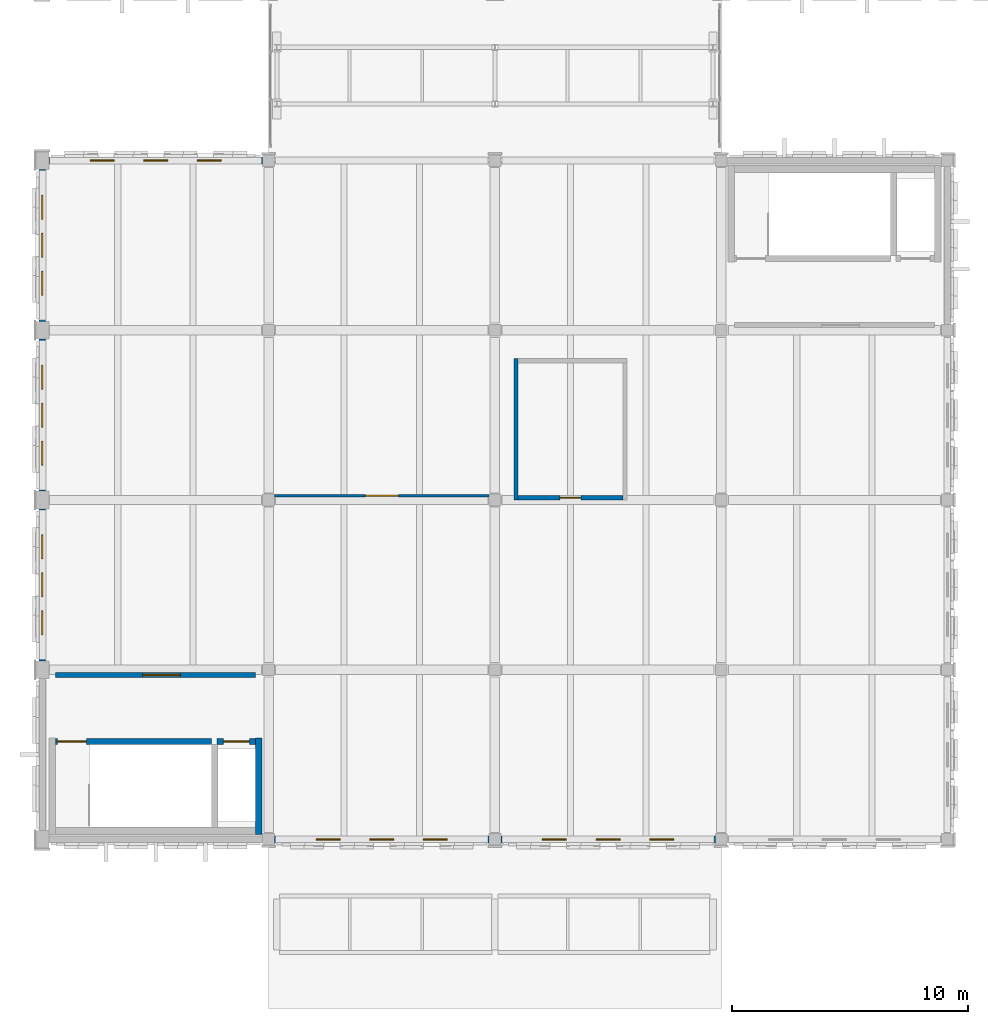
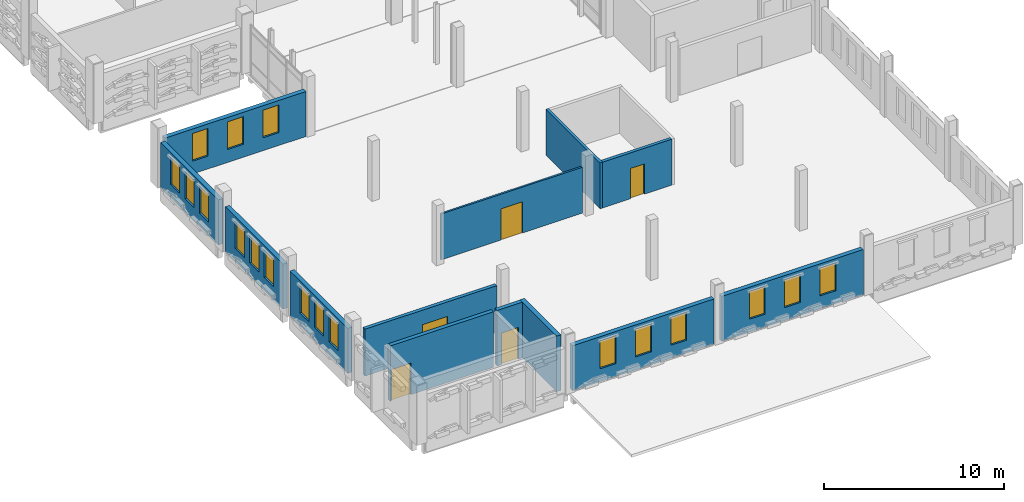
# One storey, part 53 of 72: 18 windows, 13 walls, 5 doors, 23 openings.
"""IFC4 building model written with IfcOpenShell, lengths in metres."""

from ifc_helpers import new_model, si_unit, direction, frame, frame_2d, origin, place, context, subcontext, project, spatial, rectangle, extrude, material, layer, layer_set, type_object, element, fill, save


model = new_model("IFC4")

# Units and contexts
model_context = context("Model", 3, precision=1e-05, world=origin(), true_north=direction((0.0, 1.0)))
body_context = subcontext(model_context, "Body", "Model", "MODEL_VIEW")
ifc_project = project(units=[si_unit("LENGTHUNIT", "METRE"), si_unit("AREAUNIT", "SQUARE_METRE"), si_unit("VOLUMEUNIT", "CUBIC_METRE"), si_unit("PLANEANGLEUNIT", "RADIAN"), si_unit("MASSUNIT", "GRAM", prefix="KILO")], contexts=[model_context])

# Site, building, storey
site_placement = place(None, origin())
site = spatial("IfcSite", under=ifc_project, at=site_placement, CompositionType="ELEMENT")
building_placement = place(site_placement, origin())
building = spatial("IfcBuilding", under=site, at=building_placement, Name="Asteropetra Specialist Clinic", CompositionType="ELEMENT")
storey_placement = place(building_placement, frame((0.0, 0.0, 12.580078125)))
storey = spatial("IfcBuildingStorey", under=building, at=storey_placement, Name="L03", CompositionType="ELEMENT", Elevation=12.580078125)

# Wall, openings, windows
ifc_material_1 = material(Name="Chevron limestone", Category="masonry")
ifc_layer_1 = layer(ifc_material_1, 0.284912109375)
ifc_layer_set_1 = layer_set([ifc_layer_1], Name="Chevron limestone")
wall_type_1 = type_object("IfcWallType", Name="EW-CHEV-OCH-285", PredefinedType="SOLIDWALL", material=ifc_layer_set_1)
wall_1_placement = place(storey_placement, frame((9.35009765625, 62.39990234375, 0.0), z_axis=(0.0, 0.0, 1.0), x_axis=(-1.0, 0.0, 0.0)))
wall_1 = element("IfcWall", 1, at=wall_1_placement, inside=storey, type_object=wall_type_1, Name="Exterior Wall EW-0180", PredefinedType="SOLIDWALL", context=body_context, shape_type="SweptSolid", body=[
    extrude(rectangle(XDim=9.0751953125, YDim=0.284912109375, at=frame_2d((4.53759765625, 0.0))), origin(), (0.0, 0.0, 1.0), 3.059814453125),
])
opening_1_placement = place(wall_1_placement, frame((1.7587890625, 0.0, 0.8798828125)))
opening_1 = element("IfcOpeningElement", 2, at=opening_1_placement, cuts=wall_1, Name="Opening W-0122", PredefinedType="OPENING", context=body_context, shape_type="SweptSolid", body=[
    extrude(rectangle(XDim=1.02001953125, YDim=1.8798828125, at=frame_2d((0.510009765625, 0.93994140625))), frame((0.0, 0.15234375, 0.0), z_axis=(0.0, -1.0, 0.0), x_axis=(1.0, 0.0, 0.0)), (0.0, 0.0, 1.0), 0.304931640625),
])
opening_2_placement = place(wall_1_placement, frame((4.027587890625, 0.0, 0.8798828125)))
opening_2 = element("IfcOpeningElement", 3, at=opening_2_placement, cuts=wall_1, Name="Opening W-0123", PredefinedType="OPENING", context=body_context, shape_type="SweptSolid", body=[
    extrude(rectangle(XDim=1.02001953125, YDim=1.8798828125, at=frame_2d((0.510009765625, 0.93994140625))), frame((0.0, 0.15234375, 0.0), z_axis=(0.0, -1.0, 0.0), x_axis=(1.0, 0.0, 0.0)), (0.0, 0.0, 1.0), 0.304931640625),
])
opening_3_placement = place(wall_1_placement, frame((6.296142578125, 0.0, 0.8798828125)))
opening_3 = element("IfcOpeningElement", 4, at=opening_3_placement, cuts=wall_1, Name="Opening W-0124", PredefinedType="OPENING", context=body_context, shape_type="SweptSolid", body=[
    extrude(rectangle(XDim=1.02001953125, YDim=1.8798828125, at=frame_2d((0.510009765625, 0.93994140625))), frame((0.0, 0.15234375, 0.0), z_axis=(0.0, -1.0, 0.0), x_axis=(1.0, 0.0, 0.0)), (0.0, 0.0, 1.0), 0.304931640625),
])
ifc_material_2 = material(Name="Thermally broken bronze aluminium and low-E glass", Category="aluminium")
window_type = type_object("IfcWindowType", Name="WIN-T31", PartitioningType="SINGLE_PANEL", PredefinedType="WINDOW", material=ifc_material_2)
window_1_placement = place(opening_1_placement, origin())
window_1 = element("IfcWindow", 5, at=window_1_placement, inside=storey, type_object=window_type, Name="Window W-0122", OverallHeight=1.8798828125, OverallWidth=1.02001953125, PartitioningType="SINGLE_PANEL", PredefinedType="WINDOW", context=body_context, shape_type="SweptSolid", body=[
    extrude(rectangle(XDim=1.02001953125, YDim=1.8798828125, at=frame_2d((0.510009765625, 0.93994140625))), frame((0.0, 0.030029296875, 0.0), z_axis=(0.0, -1.0, 0.0), x_axis=(1.0, 0.0, 0.0)), (0.0, 0.0, 1.0), 0.06005859375),
])
fill(opening_1, window_1)
window_2_placement = place(opening_2_placement, origin())
window_2 = element("IfcWindow", 6, at=window_2_placement, inside=storey, type_object=window_type, Name="Window W-0123", OverallHeight=1.8798828125, OverallWidth=1.02001953125, PartitioningType="SINGLE_PANEL", PredefinedType="WINDOW", context=body_context, shape_type="SweptSolid", body=[
    extrude(rectangle(XDim=1.02001953125, YDim=1.8798828125, at=frame_2d((0.510009765625, 0.93994140625))), frame((0.0, 0.030029296875, 0.0), z_axis=(0.0, -1.0, 0.0), x_axis=(1.0, 0.0, 0.0)), (0.0, 0.0, 1.0), 0.06005859375),
])
fill(opening_2, window_2)
window_3_placement = place(opening_3_placement, origin())
window_3 = element("IfcWindow", 7, at=window_3_placement, inside=storey, type_object=window_type, Name="Window W-0124", OverallHeight=1.8798828125, OverallWidth=1.02001953125, PartitioningType="SINGLE_PANEL", PredefinedType="WINDOW", context=body_context, shape_type="SweptSolid", body=[
    extrude(rectangle(XDim=1.02001953125, YDim=1.8798828125, at=frame_2d((0.510009765625, 0.93994140625))), frame((0.0, 0.030029296875, 0.0), z_axis=(0.0, -1.0, 0.0), x_axis=(1.0, 0.0, 0.0)), (0.0, 0.0, 1.0), 0.06005859375),
])
fill(opening_3, window_3)

wall_2_placement = place(storey_placement, frame((9.85009765625, 33.60009765625, 0.0), z_axis=(0.0, 0.0, 1.0), x_axis=(1.0, 0.0, 0.0)))
wall_2 = element("IfcWall", 8, at=wall_2_placement, inside=storey, type_object=wall_type_1, Name="Exterior Wall EW-0181", PredefinedType="SOLIDWALL", context=body_context, shape_type="SweptSolid", body=[
    extrude(rectangle(XDim=9.099853515625, YDim=0.284912109375, at=frame_2d((4.5498046875, 0.0))), origin(), (0.0, 0.0, 1.0), 3.059814453125),
])
opening_4_placement = place(wall_2_placement, frame((1.764892578125, 0.0, 0.8798828125)))
opening_4 = element("IfcOpeningElement", 9, at=opening_4_placement, cuts=wall_2, Name="Opening W-0125", PredefinedType="OPENING", context=body_context, shape_type="SweptSolid", body=[
    extrude(rectangle(XDim=1.02001953125, YDim=1.8798828125, at=frame_2d((0.510009765625, 0.93994140625))), frame((0.0, 0.15234375, 0.0), z_axis=(0.0, -1.0, 0.0), x_axis=(1.0, 0.0, 0.0)), (0.0, 0.0, 1.0), 0.304931640625),
])
opening_5_placement = place(wall_2_placement, frame((4.0400390625, 0.0, 0.8798828125)))
opening_5 = element("IfcOpeningElement", 10, at=opening_5_placement, cuts=wall_2, Name="Opening W-0126", PredefinedType="OPENING", context=body_context, shape_type="SweptSolid", body=[
    extrude(rectangle(XDim=1.02001953125, YDim=1.8798828125, at=frame_2d((0.510009765625, 0.93994140625))), frame((0.0, 0.15234375, 0.0), z_axis=(0.0, -1.0, 0.0), x_axis=(1.0, 0.0, 0.0)), (0.0, 0.0, 1.0), 0.304931640625),
])
opening_6_placement = place(wall_2_placement, frame((6.31494140625, 0.0, 0.8798828125)))
opening_6 = element("IfcOpeningElement", 11, at=opening_6_placement, cuts=wall_2, Name="Opening W-0127", PredefinedType="OPENING", context=body_context, shape_type="SweptSolid", body=[
    extrude(rectangle(XDim=1.02001953125, YDim=1.8798828125, at=frame_2d((0.510009765625, 0.93994140625))), frame((0.0, 0.15234375, 0.0), z_axis=(0.0, -1.0, 0.0), x_axis=(1.0, 0.0, 0.0)), (0.0, 0.0, 1.0), 0.304931640625),
])
window_4_placement = place(opening_4_placement, origin())
window_4 = element("IfcWindow", 12, at=window_4_placement, inside=storey, type_object=window_type, Name="Window W-0125", OverallHeight=1.8798828125, OverallWidth=1.02001953125, PartitioningType="SINGLE_PANEL", PredefinedType="WINDOW", context=body_context, shape_type="SweptSolid", body=[
    extrude(rectangle(XDim=1.02001953125, YDim=1.8798828125, at=frame_2d((0.510009765625, 0.93994140625))), frame((0.0, 0.030029296875, 0.0), z_axis=(0.0, -1.0, 0.0), x_axis=(1.0, 0.0, 0.0)), (0.0, 0.0, 1.0), 0.06005859375),
])
fill(opening_4, window_4)
window_5_placement = place(opening_5_placement, origin())
window_5 = element("IfcWindow", 13, at=window_5_placement, inside=storey, type_object=window_type, Name="Window W-0126", OverallHeight=1.8798828125, OverallWidth=1.02001953125, PartitioningType="SINGLE_PANEL", PredefinedType="WINDOW", context=body_context, shape_type="SweptSolid", body=[
    extrude(rectangle(XDim=1.02001953125, YDim=1.8798828125, at=frame_2d((0.510009765625, 0.93994140625))), frame((0.0, 0.030029296875, 0.0), z_axis=(0.0, -1.0, 0.0), x_axis=(1.0, 0.0, 0.0)), (0.0, 0.0, 1.0), 0.06005859375),
])
fill(opening_5, window_5)
window_6_placement = place(opening_6_placement, origin())
window_6 = element("IfcWindow", 14, at=window_6_placement, inside=storey, type_object=window_type, Name="Window W-0127", OverallHeight=1.8798828125, OverallWidth=1.02001953125, PartitioningType="SINGLE_PANEL", PredefinedType="WINDOW", context=body_context, shape_type="SweptSolid", body=[
    extrude(rectangle(XDim=1.02001953125, YDim=1.8798828125, at=frame_2d((0.510009765625, 0.93994140625))), frame((0.0, 0.030029296875, 0.0), z_axis=(0.0, -1.0, 0.0), x_axis=(1.0, 0.0, 0.0)), (0.0, 0.0, 1.0), 0.06005859375),
])
fill(opening_6, window_6)

wall_3_placement = place(storey_placement, frame((19.449951171875, 33.60009765625, 0.0), z_axis=(0.0, 0.0, 1.0), x_axis=(1.0, 0.0, 0.0)))
wall_3 = element("IfcWall", 15, at=wall_3_placement, inside=storey, type_object=wall_type_1, Name="Exterior Wall EW-0182", PredefinedType="SOLIDWALL", context=body_context, shape_type="SweptSolid", body=[
    extrude(rectangle(XDim=9.10009765625, YDim=0.284912109375, at=frame_2d((4.550048828125, 0.0))), origin(), (0.0, 0.0, 1.0), 3.059814453125),
])
opening_7_placement = place(wall_3_placement, frame((1.764892578125, 0.0, 0.8798828125)))
opening_7 = element("IfcOpeningElement", 16, at=opening_7_placement, cuts=wall_3, Name="Opening W-0128", PredefinedType="OPENING", context=body_context, shape_type="SweptSolid", body=[
    extrude(rectangle(XDim=1.02001953125, YDim=1.8798828125, at=frame_2d((0.510009765625, 0.93994140625))), frame((0.0, 0.15234375, 0.0), z_axis=(0.0, -1.0, 0.0), x_axis=(1.0, 0.0, 0.0)), (0.0, 0.0, 1.0), 0.304931640625),
])
opening_8_placement = place(wall_3_placement, frame((4.0400390625, 0.0, 0.8798828125)))
opening_8 = element("IfcOpeningElement", 17, at=opening_8_placement, cuts=wall_3, Name="Opening W-0129", PredefinedType="OPENING", context=body_context, shape_type="SweptSolid", body=[
    extrude(rectangle(XDim=1.02001953125, YDim=1.8798828125, at=frame_2d((0.510009765625, 0.93994140625))), frame((0.0, 0.15234375, 0.0), z_axis=(0.0, -1.0, 0.0), x_axis=(1.0, 0.0, 0.0)), (0.0, 0.0, 1.0), 0.304931640625),
])
opening_9_placement = place(wall_3_placement, frame((6.31494140625, 0.0, 0.8798828125)))
opening_9 = element("IfcOpeningElement", 18, at=opening_9_placement, cuts=wall_3, Name="Opening W-0130", PredefinedType="OPENING", context=body_context, shape_type="SweptSolid", body=[
    extrude(rectangle(XDim=1.02001953125, YDim=1.8798828125, at=frame_2d((0.510009765625, 0.93994140625))), frame((0.0, 0.15234375, 0.0), z_axis=(0.0, -1.0, 0.0), x_axis=(1.0, 0.0, 0.0)), (0.0, 0.0, 1.0), 0.304931640625),
])
window_7_placement = place(opening_7_placement, origin())
window_7 = element("IfcWindow", 19, at=window_7_placement, inside=storey, type_object=window_type, Name="Window W-0128", OverallHeight=1.8798828125, OverallWidth=1.02001953125, PartitioningType="SINGLE_PANEL", PredefinedType="WINDOW", context=body_context, shape_type="SweptSolid", body=[
    extrude(rectangle(XDim=1.02001953125, YDim=1.8798828125, at=frame_2d((0.510009765625, 0.93994140625))), frame((0.0, 0.030029296875, 0.0), z_axis=(0.0, -1.0, 0.0), x_axis=(1.0, 0.0, 0.0)), (0.0, 0.0, 1.0), 0.06005859375),
])
fill(opening_7, window_7)
window_8_placement = place(opening_8_placement, origin())
window_8 = element("IfcWindow", 20, at=window_8_placement, inside=storey, type_object=window_type, Name="Window W-0129", OverallHeight=1.8798828125, OverallWidth=1.02001953125, PartitioningType="SINGLE_PANEL", PredefinedType="WINDOW", context=body_context, shape_type="SweptSolid", body=[
    extrude(rectangle(XDim=1.02001953125, YDim=1.8798828125, at=frame_2d((0.510009765625, 0.93994140625))), frame((0.0, 0.030029296875, 0.0), z_axis=(0.0, -1.0, 0.0), x_axis=(1.0, 0.0, 0.0)), (0.0, 0.0, 1.0), 0.06005859375),
])
fill(opening_8, window_8)
window_9_placement = place(opening_9_placement, origin())
window_9 = element("IfcWindow", 21, at=window_9_placement, inside=storey, type_object=window_type, Name="Window W-0130", OverallHeight=1.8798828125, OverallWidth=1.02001953125, PartitioningType="SINGLE_PANEL", PredefinedType="WINDOW", context=body_context, shape_type="SweptSolid", body=[
    extrude(rectangle(XDim=1.02001953125, YDim=1.8798828125, at=frame_2d((0.510009765625, 0.93994140625))), frame((0.0, 0.030029296875, 0.0), z_axis=(0.0, -1.0, 0.0), x_axis=(1.0, 0.0, 0.0)), (0.0, 0.0, 1.0), 0.06005859375),
])
fill(opening_9, window_9)

wall_4_placement = place(storey_placement, frame((0.0, 47.625, 0.0), z_axis=(0.0, 0.0, 1.0), x_axis=(0.0, -1.0, 0.0)))
wall_4 = element("IfcWall", 22, at=wall_4_placement, inside=storey, type_object=wall_type_1, Name="Exterior Wall EW-0187", PredefinedType="SOLIDWALL", context=body_context, shape_type="SweptSolid", body=[
    extrude(rectangle(XDim=6.449951171875, YDim=0.284912109375, at=frame_2d((3.22509765625, 0.0))), origin(), (0.0, 0.0, 1.0), 3.059814453125),
])
opening_10_placement = place(wall_4_placement, frame((1.1025390625, 0.0, 0.8798828125)))
opening_10 = element("IfcOpeningElement", 23, at=opening_10_placement, cuts=wall_4, Name="Opening W-0137", PredefinedType="OPENING", context=body_context, shape_type="SweptSolid", body=[
    extrude(rectangle(XDim=1.02001953125, YDim=1.8798828125, at=frame_2d((0.510009765625, 0.93994140625))), frame((0.0, 0.15234375, 0.0), z_axis=(0.0, -1.0, 0.0), x_axis=(1.0, 0.0, 0.0)), (0.0, 0.0, 1.0), 0.304931640625),
])
opening_11_placement = place(wall_4_placement, frame((2.715087890625, 0.0, 0.8798828125)))
opening_11 = element("IfcOpeningElement", 24, at=opening_11_placement, cuts=wall_4, Name="Opening W-0138", PredefinedType="OPENING", context=body_context, shape_type="SweptSolid", body=[
    extrude(rectangle(XDim=1.02001953125, YDim=1.8798828125, at=frame_2d((0.510009765625, 0.93994140625))), frame((0.0, 0.15234375, 0.0), z_axis=(0.0, -1.0, 0.0), x_axis=(1.0, 0.0, 0.0)), (0.0, 0.0, 1.0), 0.304931640625),
])
opening_12_placement = place(wall_4_placement, frame((4.327392578125, 0.0, 0.8798828125)))
opening_12 = element("IfcOpeningElement", 25, at=opening_12_placement, cuts=wall_4, Name="Opening W-0139", PredefinedType="OPENING", context=body_context, shape_type="SweptSolid", body=[
    extrude(rectangle(XDim=1.02001953125, YDim=1.8798828125, at=frame_2d((0.510009765625, 0.93994140625))), frame((0.0, 0.15234375, 0.0), z_axis=(0.0, -1.0, 0.0), x_axis=(1.0, 0.0, 0.0)), (0.0, 0.0, 1.0), 0.304931640625),
])
window_10_placement = place(opening_10_placement, origin())
window_10 = element("IfcWindow", 26, at=window_10_placement, inside=storey, type_object=window_type, Name="Window W-0137", OverallHeight=1.8798828125, OverallWidth=1.02001953125, PartitioningType="SINGLE_PANEL", PredefinedType="WINDOW", context=body_context, shape_type="SweptSolid", body=[
    extrude(rectangle(XDim=1.02001953125, YDim=1.8798828125, at=frame_2d((0.510009765625, 0.93994140625))), frame((0.0, 0.030029296875, 0.0), z_axis=(0.0, -1.0, 0.0), x_axis=(1.0, 0.0, 0.0)), (0.0, 0.0, 1.0), 0.06005859375),
])
fill(opening_10, window_10)
window_11_placement = place(opening_11_placement, origin())
window_11 = element("IfcWindow", 27, at=window_11_placement, inside=storey, type_object=window_type, Name="Window W-0138", OverallHeight=1.8798828125, OverallWidth=1.02001953125, PartitioningType="SINGLE_PANEL", PredefinedType="WINDOW", context=body_context, shape_type="SweptSolid", body=[
    extrude(rectangle(XDim=1.02001953125, YDim=1.8798828125, at=frame_2d((0.510009765625, 0.93994140625))), frame((0.0, 0.030029296875, 0.0), z_axis=(0.0, -1.0, 0.0), x_axis=(1.0, 0.0, 0.0)), (0.0, 0.0, 1.0), 0.06005859375),
])
fill(opening_11, window_11)
window_12_placement = place(opening_12_placement, origin())
window_12 = element("IfcWindow", 28, at=window_12_placement, inside=storey, type_object=window_type, Name="Window W-0139", OverallHeight=1.8798828125, OverallWidth=1.02001953125, PartitioningType="SINGLE_PANEL", PredefinedType="WINDOW", context=body_context, shape_type="SweptSolid", body=[
    extrude(rectangle(XDim=1.02001953125, YDim=1.8798828125, at=frame_2d((0.510009765625, 0.93994140625))), frame((0.0, 0.030029296875, 0.0), z_axis=(0.0, -1.0, 0.0), x_axis=(1.0, 0.0, 0.0)), (0.0, 0.0, 1.0), 0.06005859375),
])
fill(opening_12, window_12)

wall_5_placement = place(storey_placement, frame((0.0, 54.824951171875, 0.0), z_axis=(0.0, 0.0, 1.0), x_axis=(0.0, -1.0, 0.0)))
wall_5 = element("IfcWall", 29, at=wall_5_placement, inside=storey, type_object=wall_type_1, Name="Exterior Wall EW-0189", PredefinedType="SOLIDWALL", context=body_context, shape_type="SweptSolid", body=[
    extrude(rectangle(XDim=6.449951171875, YDim=0.284912109375, at=frame_2d((3.22509765625, 0.0))), origin(), (0.0, 0.0, 1.0), 3.059814453125),
])
opening_13_placement = place(wall_5_placement, frame((1.1025390625, 0.0, 0.8798828125)))
opening_13 = element("IfcOpeningElement", 30, at=opening_13_placement, cuts=wall_5, Name="Opening W-0143", PredefinedType="OPENING", context=body_context, shape_type="SweptSolid", body=[
    extrude(rectangle(XDim=1.02001953125, YDim=1.8798828125, at=frame_2d((0.510009765625, 0.93994140625))), frame((0.0, 0.15234375, 0.0), z_axis=(0.0, -1.0, 0.0), x_axis=(1.0, 0.0, 0.0)), (0.0, 0.0, 1.0), 0.304931640625),
])
opening_14_placement = place(wall_5_placement, frame((2.715087890625, 0.0, 0.8798828125)))
opening_14 = element("IfcOpeningElement", 31, at=opening_14_placement, cuts=wall_5, Name="Opening W-0144", PredefinedType="OPENING", context=body_context, shape_type="SweptSolid", body=[
    extrude(rectangle(XDim=1.02001953125, YDim=1.8798828125, at=frame_2d((0.510009765625, 0.93994140625))), frame((0.0, 0.15234375, 0.0), z_axis=(0.0, -1.0, 0.0), x_axis=(1.0, 0.0, 0.0)), (0.0, 0.0, 1.0), 0.304931640625),
])
opening_15_placement = place(wall_5_placement, frame((4.327392578125, 0.0, 0.8798828125)))
opening_15 = element("IfcOpeningElement", 32, at=opening_15_placement, cuts=wall_5, Name="Opening W-0145", PredefinedType="OPENING", context=body_context, shape_type="SweptSolid", body=[
    extrude(rectangle(XDim=1.02001953125, YDim=1.8798828125, at=frame_2d((0.510009765625, 0.93994140625))), frame((0.0, 0.15234375, 0.0), z_axis=(0.0, -1.0, 0.0), x_axis=(1.0, 0.0, 0.0)), (0.0, 0.0, 1.0), 0.304931640625),
])
window_13_placement = place(opening_13_placement, origin())
window_13 = element("IfcWindow", 33, at=window_13_placement, inside=storey, type_object=window_type, Name="Window W-0143", OverallHeight=1.8798828125, OverallWidth=1.02001953125, PartitioningType="SINGLE_PANEL", PredefinedType="WINDOW", context=body_context, shape_type="SweptSolid", body=[
    extrude(rectangle(XDim=1.02001953125, YDim=1.8798828125, at=frame_2d((0.510009765625, 0.93994140625))), frame((0.0, 0.030029296875, 0.0), z_axis=(0.0, -1.0, 0.0), x_axis=(1.0, 0.0, 0.0)), (0.0, 0.0, 1.0), 0.06005859375),
])
fill(opening_13, window_13)
window_14_placement = place(opening_14_placement, origin())
window_14 = element("IfcWindow", 34, at=window_14_placement, inside=storey, type_object=window_type, Name="Window W-0144", OverallHeight=1.8798828125, OverallWidth=1.02001953125, PartitioningType="SINGLE_PANEL", PredefinedType="WINDOW", context=body_context, shape_type="SweptSolid", body=[
    extrude(rectangle(XDim=1.02001953125, YDim=1.8798828125, at=frame_2d((0.510009765625, 0.93994140625))), frame((0.0, 0.030029296875, 0.0), z_axis=(0.0, -1.0, 0.0), x_axis=(1.0, 0.0, 0.0)), (0.0, 0.0, 1.0), 0.06005859375),
])
fill(opening_14, window_14)
window_15_placement = place(opening_15_placement, origin())
window_15 = element("IfcWindow", 35, at=window_15_placement, inside=storey, type_object=window_type, Name="Window W-0145", OverallHeight=1.8798828125, OverallWidth=1.02001953125, PartitioningType="SINGLE_PANEL", PredefinedType="WINDOW", context=body_context, shape_type="SweptSolid", body=[
    extrude(rectangle(XDim=1.02001953125, YDim=1.8798828125, at=frame_2d((0.510009765625, 0.93994140625))), frame((0.0, 0.030029296875, 0.0), z_axis=(0.0, -1.0, 0.0), x_axis=(1.0, 0.0, 0.0)), (0.0, 0.0, 1.0), 0.06005859375),
])
fill(opening_15, window_15)

wall_6_placement = place(storey_placement, frame((0.0, 62.02490234375, 0.0), z_axis=(0.0, 0.0, 1.0), x_axis=(0.0, -1.0, 0.0)))
wall_6 = element("IfcWall", 36, at=wall_6_placement, inside=storey, type_object=wall_type_1, Name="Exterior Wall EW-0191", PredefinedType="SOLIDWALL", context=body_context, shape_type="SweptSolid", body=[
    extrude(rectangle(XDim=6.449951171875, YDim=0.284912109375, at=frame_2d((3.22509765625, 0.0))), origin(), (0.0, 0.0, 1.0), 3.059814453125),
])
opening_16_placement = place(wall_6_placement, frame((1.1025390625, 0.0, 0.8798828125)))
opening_16 = element("IfcOpeningElement", 37, at=opening_16_placement, cuts=wall_6, Name="Opening W-0149", PredefinedType="OPENING", context=body_context, shape_type="SweptSolid", body=[
    extrude(rectangle(XDim=1.02001953125, YDim=1.8798828125, at=frame_2d((0.510009765625, 0.93994140625))), frame((0.0, 0.15234375, 0.0), z_axis=(0.0, -1.0, 0.0), x_axis=(1.0, 0.0, 0.0)), (0.0, 0.0, 1.0), 0.304931640625),
])
opening_17_placement = place(wall_6_placement, frame((2.715087890625, 0.0, 0.8798828125)))
opening_17 = element("IfcOpeningElement", 38, at=opening_17_placement, cuts=wall_6, Name="Opening W-0150", PredefinedType="OPENING", context=body_context, shape_type="SweptSolid", body=[
    extrude(rectangle(XDim=1.02001953125, YDim=1.8798828125, at=frame_2d((0.510009765625, 0.93994140625))), frame((0.0, 0.15234375, 0.0), z_axis=(0.0, -1.0, 0.0), x_axis=(1.0, 0.0, 0.0)), (0.0, 0.0, 1.0), 0.304931640625),
])
opening_18_placement = place(wall_6_placement, frame((4.327392578125, 0.0, 0.8798828125)))
opening_18 = element("IfcOpeningElement", 39, at=opening_18_placement, cuts=wall_6, Name="Opening W-0151", PredefinedType="OPENING", context=body_context, shape_type="SweptSolid", body=[
    extrude(rectangle(XDim=1.02001953125, YDim=1.8798828125, at=frame_2d((0.510009765625, 0.93994140625))), frame((0.0, 0.15234375, 0.0), z_axis=(0.0, -1.0, 0.0), x_axis=(1.0, 0.0, 0.0)), (0.0, 0.0, 1.0), 0.304931640625),
])
window_16_placement = place(opening_16_placement, origin())
window_16 = element("IfcWindow", 40, at=window_16_placement, inside=storey, type_object=window_type, Name="Window W-0149", OverallHeight=1.8798828125, OverallWidth=1.02001953125, PartitioningType="SINGLE_PANEL", PredefinedType="WINDOW", context=body_context, shape_type="SweptSolid", body=[
    extrude(rectangle(XDim=1.02001953125, YDim=1.8798828125, at=frame_2d((0.510009765625, 0.93994140625))), frame((0.0, 0.030029296875, 0.0), z_axis=(0.0, -1.0, 0.0), x_axis=(1.0, 0.0, 0.0)), (0.0, 0.0, 1.0), 0.06005859375),
])
fill(opening_16, window_16)
window_17_placement = place(opening_17_placement, origin())
window_17 = element("IfcWindow", 41, at=window_17_placement, inside=storey, type_object=window_type, Name="Window W-0150", OverallHeight=1.8798828125, OverallWidth=1.02001953125, PartitioningType="SINGLE_PANEL", PredefinedType="WINDOW", context=body_context, shape_type="SweptSolid", body=[
    extrude(rectangle(XDim=1.02001953125, YDim=1.8798828125, at=frame_2d((0.510009765625, 0.93994140625))), frame((0.0, 0.030029296875, 0.0), z_axis=(0.0, -1.0, 0.0), x_axis=(1.0, 0.0, 0.0)), (0.0, 0.0, 1.0), 0.06005859375),
])
fill(opening_17, window_17)
window_18_placement = place(opening_18_placement, origin())
window_18 = element("IfcWindow", 42, at=window_18_placement, inside=storey, type_object=window_type, Name="Window W-0151", OverallHeight=1.8798828125, OverallWidth=1.02001953125, PartitioningType="SINGLE_PANEL", PredefinedType="WINDOW", context=body_context, shape_type="SweptSolid", body=[
    extrude(rectangle(XDim=1.02001953125, YDim=1.8798828125, at=frame_2d((0.510009765625, 0.93994140625))), frame((0.0, 0.030029296875, 0.0), z_axis=(0.0, -1.0, 0.0), x_axis=(1.0, 0.0, 0.0)), (0.0, 0.0, 1.0), 0.06005859375),
])
fill(opening_18, window_18)

# Wall, opening, door
ifc_material_3 = material(Name="Fire-rated masonry and gypsum", Category="masonry")
ifc_layer_2 = layer(ifc_material_3, 0.219970703125)
ifc_layer_set_2 = layer_set([ifc_layer_2], Name="Fire-rated masonry and gypsum")
wall_type_2 = type_object("IfcWallType", Name="W-COMP-220", PredefinedType="PARTITIONING", material=ifc_layer_set_2)
wall_7_placement = place(storey_placement, frame((0.56005859375, 40.580078125, 0.0), z_axis=(0.0, 0.0, 1.0), x_axis=(1.0, 0.0, 0.0)))
wall_7 = element("IfcWall", 43, at=wall_7_placement, inside=storey, type_object=wall_type_2, Name="Core Wall CW-C4-L03-LOB", PredefinedType="PARTITIONING", context=body_context, shape_type="SweptSolid", body=[
    extrude(rectangle(XDim=8.47998046875, YDim=0.219970703125, at=frame_2d((4.239990234375, 0.0))), origin(), (0.0, 0.0, 1.0), 3.18994140625),
])
opening_19_placement = place(wall_7_placement, frame((3.699951171875, 0.0, 0.0)))
opening_19 = element("IfcOpeningElement", 44, at=opening_19_placement, cuts=wall_7, Name="Opening FD-042", PredefinedType="OPENING", context=body_context, shape_type="SweptSolid", body=[
    extrude(rectangle(XDim=1.60009765625, YDim=2.199951171875, at=frame_2d((0.800048828125, 1.10009765625))), frame((0.0, 0.119873046875, 0.0), z_axis=(0.0, -1.0, 0.0), x_axis=(1.0, 0.0, 0.0)), (0.0, 0.0, 1.0), 0.239990234375),
])
ifc_material_4 = material(Name="Fire-rated steel and vision glass door", Category="steel")
door_type_1 = type_object("IfcDoorType", Name="FD-LOBBY-1600", OperationType="DOUBLE_DOOR_SINGLE_SWING", PredefinedType="DOOR", material=ifc_material_4)
door_1_placement = place(opening_19_placement, origin())
door_1 = element("IfcDoor", 45, at=door_1_placement, inside=storey, type_object=door_type_1, Name="Lobby Fire Door FD-042", OperationType="DOUBLE_DOOR_SINGLE_SWING", OverallHeight=2.199951171875, OverallWidth=1.60009765625, PredefinedType="DOOR", context=body_context, shape_type="SweptSolid", body=[
    extrude(rectangle(XDim=1.60009765625, YDim=2.199951171875, at=frame_2d((0.800048828125, 1.10009765625))), frame((0.0, 0.02490234375, 0.0), z_axis=(0.0, -1.0, 0.0), x_axis=(1.0, 0.0, 0.0)), (0.0, 0.0, 1.0), 0.050048828125),
])
fill(opening_19, door_1)

# Wall
ifc_material_5 = material(Name="Concrete C35/45", Category="concrete")
ifc_layer_3 = layer(ifc_material_5, 0.280029296875)
ifc_layer_set_3 = layer_set([ifc_layer_3], Name="Concrete C35/45")
wall_type_3 = type_object("IfcWallType", Name="W-CORE-280", PredefinedType="SHEAR", material=ifc_layer_set_3)
wall_8_placement = place(storey_placement, frame((9.179931640625, 33.820068359375, 0.0), z_axis=(0.0, 0.0, 1.0), x_axis=(0.0, 1.0, 0.0)))
element("IfcWall", 46, at=wall_8_placement, inside=storey, type_object=wall_type_3, Name="Core Wall CW-C4-L03-E", PredefinedType="SHEAR", context=body_context, shape_type="SweptSolid", body=[
    extrude(rectangle(XDim=4.079833984375, YDim=0.280029296875, at=frame_2d((2.0400390625, 0.0))), origin(), (0.0, 0.0, 1.0), 3.780029296875),
])

# Wall, opening, door
ifc_material_6 = material(Name="Light partition", Category="masonry")
ifc_layer_4 = layer(ifc_material_6, 0.1201171875)
ifc_layer_set_4 = layer_set([ifc_layer_4], Name="Light partition")
wall_type_4 = type_object("IfcWallType", Name="W-PART-120", PredefinedType="PARTITIONING", material=ifc_layer_set_4)
wall_9_placement = place(storey_placement, frame((9.85498046875, 48.179931640625, 0.0), z_axis=(0.0, 0.0, 1.0), x_axis=(1.0, 0.0, 0.0)))
wall_9 = element("IfcWall", 47, at=wall_9_placement, inside=storey, type_object=wall_type_4, Name="Interior Partition PW-0154", PredefinedType="PARTITIONING", context=body_context, shape_type="SweptSolid", body=[
    extrude(rectangle(XDim=9.090087890625, YDim=0.1201171875, at=frame_2d((4.544921875, 0.0))), origin(), (0.0, 0.0, 1.0), 3.119873046875),
])
opening_20_placement = place(wall_9_placement, frame((3.844970703125, 0.0, 0.0)))
opening_20 = element("IfcOpeningElement", 48, at=opening_20_placement, cuts=wall_9, Name="Opening ID-0102", PredefinedType="OPENING", context=body_context, shape_type="SweptSolid", body=[
    extrude(rectangle(XDim=1.39990234375, YDim=2.1201171875, at=frame_2d((0.699951171875, 1.06005859375))), frame((0.0, 0.070068359375, 0.0), z_axis=(0.0, -1.0, 0.0), x_axis=(1.0, 0.0, 0.0)), (0.0, 0.0, 1.0), 0.14013671875),
])
ifc_material_7 = material(Name="Antimicrobial laminate timber leaf in steel frame", Category="steel")
door_type_2 = type_object("IfcDoorType", Name="ID-WARD-1400", OperationType="NOTDEFINED", PredefinedType="DOOR", material=ifc_material_7)
door_2_placement = place(opening_20_placement, origin())
door_2 = element("IfcDoor", 49, at=door_2_placement, inside=storey, type_object=door_type_2, Name="Interior Door ID-0102", OperationType="SINGLE_SWING_LEFT", OverallHeight=2.1201171875, OverallWidth=1.39990234375, PredefinedType="DOOR", context=body_context, shape_type="SweptSolid", body=[
    extrude(rectangle(XDim=1.39990234375, YDim=2.1201171875, at=frame_2d((0.699951171875, 1.06005859375))), frame((0.0, 0.02490234375, 0.0), z_axis=(0.0, -1.0, 0.0), x_axis=(1.0, 0.0, 0.0)), (0.0, 0.0, 1.0), 0.050048828125),
])
fill(opening_20, door_2)

# Wall
ifc_material_8 = material(Name="En-suite plumbing wall", Category="masonry")
ifc_layer_5 = layer(ifc_material_8, 0.169921875)
ifc_layer_set_5 = layer_set([ifc_layer_5], Name="En-suite plumbing wall")
wall_type_5 = type_object("IfcWallType", Name="W-PLUMB-170", PredefinedType="PLUMBINGWALL", material=ifc_layer_set_5)
wall_10_placement = place(storey_placement, frame((20.090087890625, 47.9951171875, 0.0), z_axis=(0.0, 0.0, 1.0), x_axis=(0.0, 1.0, 0.0)))
element("IfcWall", 50, at=wall_10_placement, inside=storey, type_object=wall_type_5, Name="Interior Partition PW-0139", PredefinedType="PLUMBINGWALL", context=body_context, shape_type="SweptSolid", body=[
    extrude(rectangle(XDim=6.009765625, YDim=0.169921875, at=frame_2d((3.0048828125, 0.0))), origin(), (0.0, 0.0, 1.0), 3.119873046875),
])

# Wall, opening, door
ifc_material_9 = material(Name="Sanitary service-chase wall", Category="masonry")
ifc_layer_6 = layer(ifc_material_9, 0.199951171875)
ifc_layer_set_6 = layer_set([ifc_layer_6], Name="Sanitary service-chase wall")
wall_type_6 = type_object("IfcWallType", Name="W-PLUMB-200", PredefinedType="PLUMBINGWALL", material=ifc_layer_set_6)
wall_11_placement = place(storey_placement, frame((20.177001953125, 48.090087890625, 0.0), z_axis=(0.0, 0.0, 1.0), x_axis=(1.0, 0.0, 0.0)))
wall_11 = element("IfcWall", 51, at=wall_11_placement, inside=storey, type_object=wall_type_6, Name="Interior Partition PW-0142", PredefinedType="PLUMBINGWALL", context=body_context, shape_type="SweptSolid", body=[
    extrude(rectangle(XDim=4.446044921875, YDim=0.199951171875, at=frame_2d((2.22314453125, 0.0))), origin(), (0.0, 0.0, 1.0), 3.119873046875),
])
opening_21_placement = place(wall_11_placement, frame((1.77294921875, 0.0, 0.0)))
opening_21 = element("IfcOpeningElement", 52, at=opening_21_placement, cuts=wall_11, Name="Opening ID-0093", PredefinedType="OPENING", context=body_context, shape_type="SweptSolid", body=[
    extrude(rectangle(XDim=0.89990234375, YDim=2.06005859375, at=frame_2d((0.449951171875, 1.030029296875))), frame((0.0, 0.10986328125, 0.0), z_axis=(0.0, -1.0, 0.0), x_axis=(1.0, 0.0, 0.0)), (0.0, 0.0, 1.0), 0.219970703125),
])
ifc_material_10 = material(Name="Antimicrobial laminate timber leaf in steel frame", Category="steel")
door_type_3 = type_object("IfcDoorType", Name="ID-ENS-0900", OperationType="SINGLE_SWING_RIGHT", PredefinedType="DOOR", material=ifc_material_10)
door_3_placement = place(opening_21_placement, origin())
door_3 = element("IfcDoor", 53, at=door_3_placement, inside=storey, type_object=door_type_3, Name="Interior Door ID-0093", OperationType="SINGLE_SWING_RIGHT", OverallHeight=2.06005859375, OverallWidth=0.89990234375, PredefinedType="DOOR", context=body_context, shape_type="SweptSolid", body=[
    extrude(rectangle(XDim=0.89990234375, YDim=2.06005859375, at=frame_2d((0.449951171875, 1.030029296875))), frame((0.0, 0.02490234375, 0.0), z_axis=(0.0, -1.0, 0.0), x_axis=(1.0, 0.0, 0.0)), (0.0, 0.0, 1.0), 0.050048828125),
])
fill(opening_21, door_3)

ifc_material_11 = material(Name="Concrete C35/45", Category="concrete")
ifc_layer_7 = layer(ifc_material_11, 0.25)
ifc_layer_set_7 = layer_set([ifc_layer_7], Name="Concrete C35/45")
wall_type_7 = type_object("IfcWallType", Name="W-SHAFT-250", PredefinedType="SHEAR", material=ifc_layer_set_7)
wall_12_placement = place(storey_placement, frame((0.554931640625, 37.760009765625, 0.0), z_axis=(0.0, 0.0, 1.0), x_axis=(1.0, 0.0, 0.0)))
wall_12 = element("IfcWall", 54, at=wall_12_placement, inside=storey, type_object=wall_type_7, Name="Core Wall CW-C4-L03-STDIV", PredefinedType="SHEAR", context=body_context, shape_type="SweptSolid", body=[
    extrude(rectangle(XDim=6.625, YDim=0.25, at=frame_2d((3.3125, 0.0))), origin(), (0.0, 0.0, 1.0), 3.780029296875),
])
opening_22_placement = place(wall_12_placement, frame((0.080078125, 0.0, 0.0)))
opening_22 = element("IfcOpeningElement", 55, at=opening_22_placement, cuts=wall_12, Name="Opening FD-041", PredefinedType="OPENING", context=body_context, shape_type="SweptSolid", body=[
    extrude(rectangle(XDim=1.239990234375, YDim=2.14990234375, at=frame_2d((0.6201171875, 1.074951171875))), frame((0.0, 0.135009765625, 0.0), z_axis=(0.0, -1.0, 0.0), x_axis=(1.0, 0.0, 0.0)), (0.0, 0.0, 1.0), 0.27001953125),
])
ifc_material_12 = material(Name="Fire-rated steel and vision glass door", Category="steel")
door_type_4 = type_object("IfcDoorType", Name="FD-STAIR-1400", OperationType="DOUBLE_DOOR_SINGLE_SWING", PredefinedType="DOOR", material=ifc_material_12)
door_4_placement = place(opening_22_placement, origin())
door_4 = element("IfcDoor", 56, at=door_4_placement, inside=storey, type_object=door_type_4, Name="Stair Fire Door FD-041", OperationType="DOUBLE_DOOR_SINGLE_SWING", OverallHeight=2.14990234375, OverallWidth=1.239990234375, PredefinedType="DOOR", context=body_context, shape_type="SweptSolid", body=[
    extrude(rectangle(XDim=1.239990234375, YDim=2.14990234375, at=frame_2d((0.6201171875, 1.074951171875))), frame((0.0, 0.02490234375, 0.0), z_axis=(0.0, -1.0, 0.0), x_axis=(1.0, 0.0, 0.0)), (0.0, 0.0, 1.0), 0.050048828125),
])
fill(opening_22, door_4)

wall_13_placement = place(storey_placement, frame((7.419921875, 37.760009765625, 0.0), z_axis=(0.0, 0.0, 1.0), x_axis=(1.0, 0.0, 0.0)))
wall_13 = element("IfcWall", 57, at=wall_13_placement, inside=storey, type_object=wall_type_7, Name="Lift Shaft Front Wall CW-C4-L03-LFTF", PredefinedType="SHEAR", context=body_context, shape_type="SweptSolid", body=[
    extrude(rectangle(XDim=1.625, YDim=0.25, at=frame_2d((0.8125, 0.0))), origin(), (0.0, 0.0, 1.0), 3.780029296875),
])
opening_23_placement = place(wall_13_placement, frame((0.262451171875, 0.0, 0.0)))
opening_23 = element("IfcOpeningElement", 58, at=opening_23_placement, cuts=wall_13, Name="Opening LD-021", PredefinedType="OPENING", context=body_context, shape_type="SweptSolid", body=[
    extrude(rectangle(XDim=1.10009765625, YDim=2.14990234375, at=frame_2d((0.550048828125, 1.074951171875))), frame((0.0, 0.135009765625, 0.0), z_axis=(0.0, -1.0, 0.0), x_axis=(1.0, 0.0, 0.0)), (0.0, 0.0, 1.0), 0.27001953125),
])
ifc_material_13 = material(Name="Brushed stainless steel sliding lift landing door", Category="steel")
door_type_5 = type_object("IfcDoorType", Name="LD-PASS-1100", OperationType="DOUBLE_DOOR_SLIDING", PredefinedType="DOOR", material=ifc_material_13)
door_5_placement = place(opening_23_placement, origin())
door_5 = element("IfcDoor", 59, at=door_5_placement, inside=storey, type_object=door_type_5, Name="Lift Landing Door LD-021", OperationType="DOUBLE_DOOR_SLIDING", OverallHeight=2.14990234375, OverallWidth=1.10009765625, PredefinedType="DOOR", context=body_context, shape_type="SweptSolid", body=[
    extrude(rectangle(XDim=1.10009765625, YDim=2.14990234375, at=frame_2d((0.550048828125, 1.074951171875))), frame((0.0, 0.02490234375, 0.0), z_axis=(0.0, -1.0, 0.0), x_axis=(1.0, 0.0, 0.0)), (0.0, 0.0, 1.0), 0.050048828125),
])
fill(opening_23, door_5)

save(model, "model.ifc")
